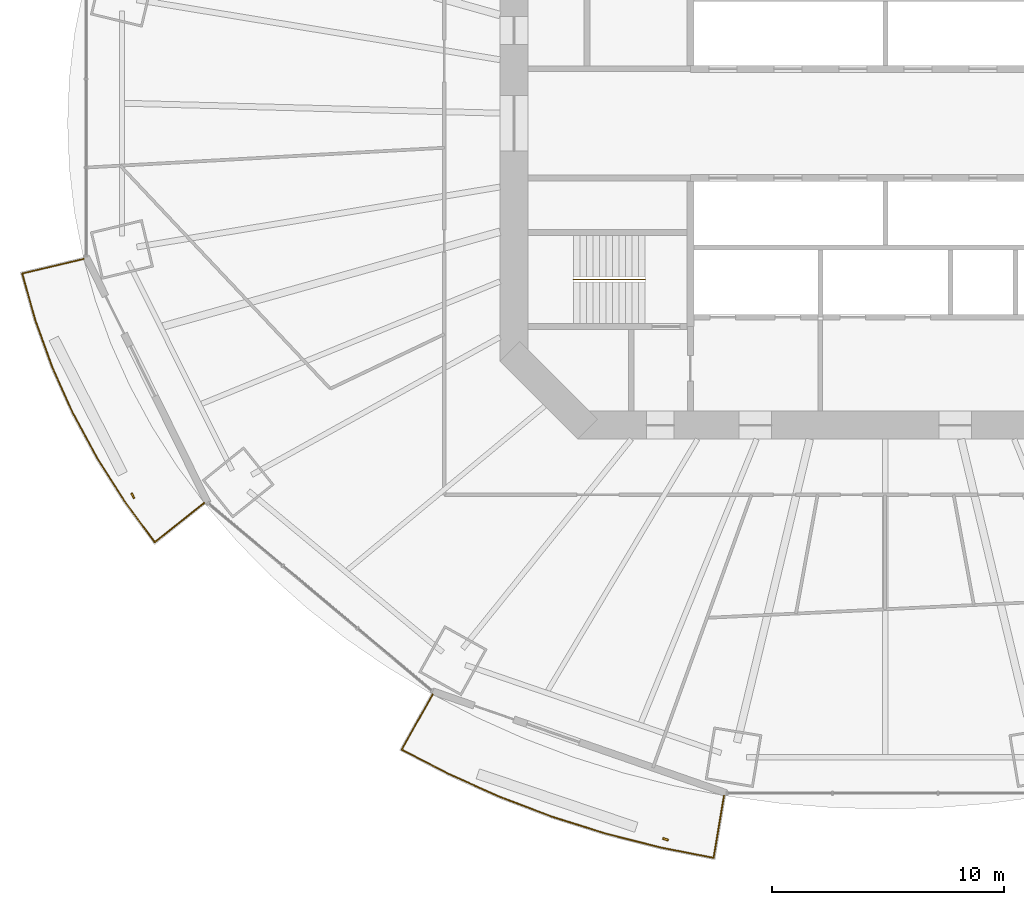
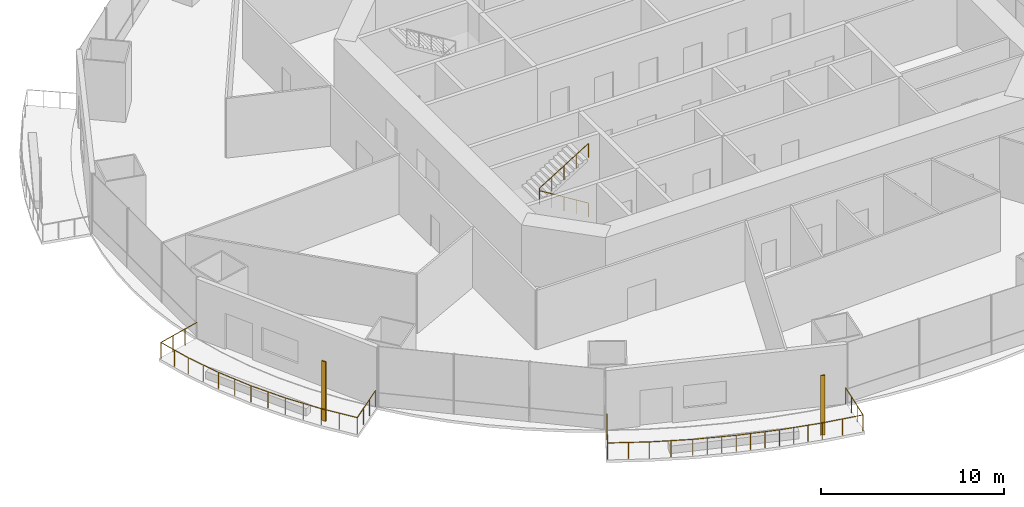
# One storey, part 17 of 22: 3 railings, 2 shading devices.
"""IFC4 building model written with IfcOpenShell, lengths in metres."""

from ifc_helpers import new_model, si_unit, direction, frame, origin, origin_2d, place, context, subcontext, project, spatial, rectangle, circle, extrude, material, material_profile, profile_set, type_object, element, save


model = new_model("IFC4")

# Units and contexts
model_context = context("Model", 3, precision=1e-05, world=origin(), true_north=direction((0.0, 1.0)))
body_context = subcontext(model_context, "Body", "Model", "MODEL_VIEW")
ifc_project = project(units=[si_unit("LENGTHUNIT", "METRE"), si_unit("AREAUNIT", "SQUARE_METRE"), si_unit("VOLUMEUNIT", "CUBIC_METRE"), si_unit("PLANEANGLEUNIT", "RADIAN"), si_unit("MASSUNIT", "GRAM", prefix="KILO")], contexts=[model_context])

# Site, building, storey
site_placement = place(None, origin())
site = spatial("IfcSite", under=ifc_project, at=site_placement, CompositionType="ELEMENT")
building_placement = place(site_placement, origin())
building = spatial("IfcBuilding", under=site, at=building_placement, Name="Marenthal Gate Tower", CompositionType="ELEMENT")
storey_placement = place(building_placement, frame((0.0, 0.0, 82.800048828125)))
storey = spatial("IfcBuildingStorey", under=building, at=storey_placement, Name="L16", CompositionType="ELEMENT", Elevation=82.800048828125)

# Railings
ifc_material_1 = material(Name="Stainless steel", Category="steel")
railing_type_1 = type_object("IfcRailingType", Name="Balcony guard 1100", PredefinedType="GUARDRAIL", material=ifc_material_1)
railing_1_placement = place(storey_placement, frame((-29.34326171875, -16.347900390625, 0.0)))
element("IfcRailing", 1, at=railing_1_placement, inside=storey, type_object=railing_type_1, Name="Balcony guard L16 bay 9", PredefinedType="GUARDRAIL", context=body_context, shape_type="SweptSolid", body=[
    extrude(circle(Radius=0.02392578125, at=origin_2d()), frame((0.0, 0.0, 1.076171875), z_axis=(-0.782218085053, -0.62283082954, -0.014718192514), x_axis=(0.622898300926, -0.782302822892, 0.0)), (0.0, 0.0, 1.0), 2.720458984375),
    extrude(circle(Radius=0.02392578125, at=origin_2d()), frame((-2.1279296875, -1.6943359375, 1.0361328125), z_axis=(-0.594617358606, 0.804008828835, 0.0), x_axis=(-0.804008828835, -0.594617358606, 0.0)), (0.0, 0.0, 1.0), 2.153564453125),
    extrude(circle(Radius=0.02392578125, at=origin_2d()), frame((-3.408447265625, 0.037109375, 1.0361328125), z_axis=(-0.537495639062, 0.843266528442, 0.0), x_axis=(-0.843266528442, -0.537495639062, 0.0)), (0.0, 0.0, 1.0), 2.215576171875),
    extrude(circle(Radius=0.02392578125, at=origin_2d()), frame((-4.599365234375, 1.905517578125, 1.0361328125), z_axis=(-0.475449699906, 0.879742907251, 0.0), x_axis=(-0.879742907251, -0.475449699906, 0.0)), (0.0, 0.0, 1.0), 2.19921875),
    extrude(circle(Radius=0.02392578125, at=origin_2d()), frame((-5.64501953125, 3.84033203125, 1.0361328125), z_axis=(-0.409495490191, 0.912312141492, 0.0), x_axis=(-0.912312141492, -0.409495490191, 0.0)), (0.0, 0.0, 1.0), 2.1845703125),
    extrude(circle(Radius=0.02392578125, at=origin_2d()), frame((-6.53955078125, 5.833251953125, 1.0361328125), z_axis=(-0.340172038454, 0.940363219322, 0.0), x_axis=(-0.940363219322, -0.340172038454, 0.0)), (0.0, 0.0, 1.0), 2.171630859375),
    extrude(circle(Radius=0.02392578125, at=origin_2d()), frame((-7.2783203125, 7.87548828125, 1.0361328125), z_axis=(-0.269294922849, 0.963057757628, 0.0), x_axis=(-0.963057757628, -0.269294922849, 0.0)), (0.0, 0.0, 1.0), 2.08154296875),
    extrude(circle(Radius=0.02392578125, at=origin_2d()), frame((-7.8388671875, 9.880126953125, 1.0361328125), z_axis=(0.972921871805, 0.230665056323, 0.014719482193), x_axis=(-0.230690048693, 0.973027287096, 0.0)), (0.0, 0.0, 1.0), 2.72021484375),
    extrude(circle(Radius=0.02099609375, at=origin_2d()), origin(), (0.0, 0.0, 1.0), 1.052001953125),
    extrude(circle(Radius=0.02099609375, at=origin_2d()), frame((-0.709228515625, -0.564697265625, -0.013427734375)), (0.0, 0.0, 1.0), 1.052001953125),
    extrude(circle(Radius=0.02099609375, at=origin_2d()), frame((-1.418701171875, -1.129638671875, -0.026611328125)), (0.0, 0.0, 1.0), 1.052001953125),
    extrude(circle(Radius=0.02099609375, at=origin_2d()), frame((-2.1279296875, -1.6943359375, -0.0400390625)), (0.0, 0.0, 1.0), 1.052001953125),
    extrude(circle(Radius=0.02099609375, at=origin_2d()), frame((-2.76806640625, -0.82861328125, -0.0400390625)), (0.0, 0.0, 1.0), 1.052001953125),
    extrude(circle(Radius=0.02099609375, at=origin_2d()), frame((-3.408447265625, 0.037109375, -0.0400390625)), (0.0, 0.0, 1.0), 1.052001953125),
    extrude(circle(Radius=0.02099609375, at=origin_2d()), frame((-4.00390625, 0.97119140625, -0.0400390625)), (0.0, 0.0, 1.0), 1.052001953125),
    extrude(circle(Radius=0.02099609375, at=origin_2d()), frame((-4.599365234375, 1.905517578125, -0.0400390625)), (0.0, 0.0, 1.0), 1.052001953125),
    extrude(circle(Radius=0.02099609375, at=origin_2d()), frame((-5.1220703125, 2.873046875, -0.0400390625)), (0.0, 0.0, 1.0), 1.052001953125),
    extrude(circle(Radius=0.02099609375, at=origin_2d()), frame((-5.64501953125, 3.84033203125, -0.0400390625)), (0.0, 0.0, 1.0), 1.052001953125),
    extrude(circle(Radius=0.02099609375, at=origin_2d()), frame((-6.09228515625, 4.8369140625, -0.0400390625)), (0.0, 0.0, 1.0), 1.052001953125),
    extrude(circle(Radius=0.02099609375, at=origin_2d()), frame((-6.53955078125, 5.833251953125, -0.0400390625)), (0.0, 0.0, 1.0), 1.052001953125),
    extrude(circle(Radius=0.02099609375, at=origin_2d()), frame((-6.908935546875, 6.8544921875, -0.0400390625)), (0.0, 0.0, 1.0), 1.052001953125),
    extrude(circle(Radius=0.02099609375, at=origin_2d()), frame((-7.2783203125, 7.87548828125, -0.0400390625)), (0.0, 0.0, 1.0), 1.052001953125),
    extrude(circle(Radius=0.02099609375, at=origin_2d()), frame((-7.55859375, 8.8779296875, -0.0400390625)), (0.0, 0.0, 1.0), 1.052001953125),
    extrude(circle(Radius=0.02099609375, at=origin_2d()), frame((-7.8388671875, 9.880126953125, -0.0400390625)), (0.0, 0.0, 1.0), 1.052001953125),
    extrude(circle(Radius=0.02099609375, at=origin_2d()), frame((-6.956787109375, 10.08935546875, -0.026611328125)), (0.0, 0.0, 1.0), 1.052001953125),
    extrude(circle(Radius=0.02099609375, at=origin_2d()), frame((-6.074462890625, 10.29833984375, -0.013427734375)), (0.0, 0.0, 1.0), 1.052001953125),
    extrude(circle(Radius=0.02099609375, at=origin_2d()), frame((-5.1923828125, 10.507568359375, 0.0)), (0.0, 0.0, 1.0), 1.052001953125),
])
railing_2_placement = place(storey_placement, frame((-6.9521484375, -28.957275390625, 0.0)))
element("IfcRailing", 2, at=railing_2_placement, inside=storey, type_object=railing_type_1, Name="Balcony guard L16 bay 11", PredefinedType="GUARDRAIL", context=body_context, shape_type="SweptSolid", body=[
    extrude(circle(Radius=0.02392578125, at=origin_2d()), frame((0.0, 0.0, 1.076171875), z_axis=(-0.164599482451, -0.986250661205, -0.014718819587), x_axis=(0.986357511038, -0.164617315064, 0.0)), (0.0, 0.0, 1.0), 2.72021484375),
    extrude(circle(Radius=0.02392578125, at=origin_2d()), frame((-0.44775390625, -2.682861328125, 1.0361328125), z_axis=(-0.981243578155, 0.19277199052, 0.0), x_axis=(-0.19277199052, -0.981243578155, 0.0)), (0.0, 0.0, 1.0), 2.359375),
    extrude(circle(Radius=0.02392578125, at=origin_2d()), frame((-2.762939453125, -2.22802734375, 1.0361328125), z_axis=(-0.969141273658, 0.246505966848, 0.0), x_axis=(-0.246505966848, -0.969141273658, 0.0)), (0.0, 0.0, 1.0), 2.429443359375),
    extrude(circle(Radius=0.02392578125, at=origin_2d()), frame((-5.117431640625, -1.629150390625, 1.0361328125), z_axis=(-0.953649791478, 0.300918718616, 0.0), x_axis=(-0.300918718616, -0.953649791478, 0.0)), (0.0, 0.0, 1.0), 2.417724609375),
    extrude(circle(Radius=0.02392578125, at=origin_2d()), frame((-7.423095703125, -0.901611328125, 1.0361328125), z_axis=(-0.934801116304, 0.355171610573, 0.0), x_axis=(-0.355171610573, -0.934801116304, 0.0)), (0.0, 0.0, 1.0), 2.40380859375),
    extrude(circle(Radius=0.02392578125, at=origin_2d()), frame((-9.670166015625, -0.0478515625, 1.0361328125), z_axis=(-0.912542222384, 0.408982508631, 0.0), x_axis=(-0.408982508631, -0.912542222384, 0.0)), (0.0, 0.0, 1.0), 2.3876953125),
    extrude(circle(Radius=0.02392578125, at=origin_2d()), frame((-11.84912109375, 0.9287109375, 1.0361328125), z_axis=(-0.887216801235, 0.461352736642, 0.0), x_axis=(-0.461352736642, -0.887216801235, 0.0)), (0.0, 0.0, 1.0), 2.290771484375),
    extrude(circle(Radius=0.02392578125, at=origin_2d()), frame((-13.881591796875, 1.985595703125, 1.0361328125), z_axis=(0.489023148101, 0.872146623829, 0.01471825955), x_axis=(-0.872241104505, 0.489076124557, 0.0)), (0.0, 0.0, 1.0), 2.720458984375),
    extrude(circle(Radius=0.02099609375, at=origin_2d()), origin(), (0.0, 0.0, 1.0), 1.052001953125),
    extrude(circle(Radius=0.02099609375, at=origin_2d()), frame((-0.149169921875, -0.894287109375, -0.013427734375)), (0.0, 0.0, 1.0), 1.052001953125),
    extrude(circle(Radius=0.02099609375, at=origin_2d()), frame((-0.298583984375, -1.78857421875, -0.026611328125)), (0.0, 0.0, 1.0), 1.052001953125),
    extrude(circle(Radius=0.02099609375, at=origin_2d()), frame((-0.44775390625, -2.682861328125, -0.0400390625)), (0.0, 0.0, 1.0), 1.052001953125),
    extrude(circle(Radius=0.02099609375, at=origin_2d()), frame((-1.60546875, -2.45556640625, -0.0400390625)), (0.0, 0.0, 1.0), 1.052001953125),
    extrude(circle(Radius=0.02099609375, at=origin_2d()), frame((-2.762939453125, -2.22802734375, -0.0400390625)), (0.0, 0.0, 1.0), 1.052001953125),
    extrude(circle(Radius=0.02099609375, at=origin_2d()), frame((-3.5478515625, -2.0283203125, -0.0400390625)), (0.0, 0.0, 1.0), 1.052001953125),
    extrude(circle(Radius=0.02099609375, at=origin_2d()), frame((-4.33251953125, -1.828857421875, -0.0400390625)), (0.0, 0.0, 1.0), 1.052001953125),
    extrude(circle(Radius=0.02099609375, at=origin_2d()), frame((-5.117431640625, -1.629150390625, -0.0400390625)), (0.0, 0.0, 1.0), 1.052001953125),
    extrude(circle(Radius=0.02099609375, at=origin_2d()), frame((-5.885986328125, -1.38671875, -0.0400390625)), (0.0, 0.0, 1.0), 1.052001953125),
    extrude(circle(Radius=0.02099609375, at=origin_2d()), frame((-6.654541015625, -1.14404296875, -0.0400390625)), (0.0, 0.0, 1.0), 1.052001953125),
    extrude(circle(Radius=0.02099609375, at=origin_2d()), frame((-7.423095703125, -0.901611328125, -0.0400390625)), (0.0, 0.0, 1.0), 1.052001953125),
    extrude(circle(Radius=0.02099609375, at=origin_2d()), frame((-8.172119140625, -0.616943359375, -0.0400390625)), (0.0, 0.0, 1.0), 1.052001953125),
    extrude(circle(Radius=0.02099609375, at=origin_2d()), frame((-8.921142578125, -0.33251953125, -0.0400390625)), (0.0, 0.0, 1.0), 1.052001953125),
    extrude(circle(Radius=0.02099609375, at=origin_2d()), frame((-9.670166015625, -0.0478515625, -0.0400390625)), (0.0, 0.0, 1.0), 1.052001953125),
    extrude(circle(Radius=0.02099609375, at=origin_2d()), frame((-10.759765625, 0.4404296875, -0.0400390625)), (0.0, 0.0, 1.0), 1.052001953125),
    extrude(circle(Radius=0.02099609375, at=origin_2d()), frame((-11.84912109375, 0.9287109375, -0.0400390625)), (0.0, 0.0, 1.0), 1.052001953125),
    extrude(circle(Radius=0.02099609375, at=origin_2d()), frame((-12.865234375, 1.45703125, -0.0400390625)), (0.0, 0.0, 1.0), 1.052001953125),
    extrude(circle(Radius=0.02099609375, at=origin_2d()), frame((-13.881591796875, 1.985595703125, -0.0400390625)), (0.0, 0.0, 1.0), 1.052001953125),
    extrude(circle(Radius=0.02099609375, at=origin_2d()), frame((-13.438232421875, 2.7763671875, -0.026611328125)), (0.0, 0.0, 1.0), 1.052001953125),
    extrude(circle(Radius=0.02099609375, at=origin_2d()), frame((-12.99462890625, 3.5673828125, -0.013427734375)), (0.0, 0.0, 1.0), 1.052001953125),
    extrude(circle(Radius=0.02099609375, at=origin_2d()), frame((-12.55126953125, 4.358154296875, 0.0)), (0.0, 0.0, 1.0), 1.052001953125),
])
ifc_material_2 = material(Name="Stainless steel", Category="steel")
railing_type_2 = type_object("IfcRailingType", Name="Stair handrail", PredefinedType="HANDRAIL", material=ifc_material_2)
railing_3_placement = place(storey_placement, frame((-10.35009765625, -6.72509765625, 0.1728515625)))
element("IfcRailing", 3, at=railing_3_placement, inside=storey, type_object=railing_type_2, Name="Handrail ST2", PredefinedType="HANDRAIL", context=body_context, shape_type="SweptSolid", body=[
    extrude(circle(Radius=0.0224609375, at=origin_2d()), frame((0.0, 0.0, 0.927490234375), z_axis=(-0.850816621229, 0.0, 0.525462726595), x_axis=(0.0, -1.0, 0.0)), (0.0, 0.0, 1.0), 3.619873046875),
    extrude(circle(Radius=0.0224609375, at=origin_2d()), frame((-3.079833984375, 0.0, 2.82958984375), z_axis=(0.0, 0.0, 1.0), x_axis=(1.0, 0.0, 0.0)), (0.0, 0.0, 1.0), 0.1728515625),
    extrude(circle(Radius=0.0224609375, at=origin_2d()), frame((-3.079833984375, 0.0, 3.00244140625), z_axis=(0.850816621229, 0.0, 0.525462726595), x_axis=(0.0, 1.0, 0.0)), (0.0, 0.0, 1.0), 3.619873046875),
    extrude(circle(Radius=0.02001953125, at=origin_2d()), origin(), (0.0, 0.0, 1.0), 0.905029296875),
    extrude(circle(Radius=0.02001953125, at=origin_2d()), frame((-0.77001953125, 0.0, 0.4755859375)), (0.0, 0.0, 1.0), 0.905029296875),
    extrude(circle(Radius=0.02001953125, at=origin_2d()), frame((-1.5400390625, 0.0, 0.951171875)), (0.0, 0.0, 1.0), 0.905029296875),
    extrude(circle(Radius=0.02001953125, at=origin_2d()), frame((-2.309814453125, 0.0, 1.426513671875)), (0.0, 0.0, 1.0), 0.905029296875),
    extrude(circle(Radius=0.02001953125, at=origin_2d()), frame((-3.079833984375, 0.0, 1.902099609375)), (0.0, 0.0, 1.0), 0.905029296875),
    extrude(circle(Radius=0.02001953125, at=origin_2d()), frame((-3.079833984375, 0.0, 2.074951171875)), (0.0, 0.0, 1.0), 0.905029296875),
    extrude(circle(Radius=0.02001953125, at=origin_2d()), frame((-2.309814453125, 0.0, 2.550537109375)), (0.0, 0.0, 1.0), 0.905029296875),
    extrude(circle(Radius=0.02001953125, at=origin_2d()), frame((-1.5400390625, 0.0, 3.02587890625)), (0.0, 0.0, 1.0), 0.905029296875),
    extrude(circle(Radius=0.02001953125, at=origin_2d()), frame((-0.77001953125, 0.0, 3.50146484375)), (0.0, 0.0, 1.0), 0.905029296875),
    extrude(circle(Radius=0.02001953125, at=origin_2d()), frame((0.0, 0.0, 3.97705078125)), (0.0, 0.0, 1.0), 0.905029296875),
])

# Shading devices
ifc_material_3 = material(Name="Terracotta", Category="masonry")
ifc_material_profile = material_profile(ifc_material_3, rectangle(XDim=0.25, YDim=0.080078125, at=origin_2d()), Name="Terracotta baguette 250x80")
ifc_profile_set = profile_set([ifc_material_profile], Name="Terracotta")
shading_device_type = type_object("IfcShadingDeviceType", Name="Terracotta BAGUETTE SCREEN 250x80", PredefinedType="USERDEFINED", material=ifc_profile_set)
for number, where, z_axis, x_axis, name in (
    (4, (-32.4189453125, -16.041015625, -0.0400390625), (0.0, 0.0, 1.0), (0.442860405886, -0.896590575959, 0.0), "Terracotta BAGUETTE L16 bay 9R"),
    (5, (-9.471923828125, -30.837646484375, -0.0400390625), (0.0, 0.0, 1.0), (0.944634232614, -0.328125230017, 0.0), "Terracotta BAGUETTE L16 bay 11R"),
):
    element("IfcShadingDevice", number, at=place(storey_placement, frame(where, z_axis=z_axis, x_axis=x_axis)), inside=storey, type_object=shading_device_type, Name=name, ObjectType="BAGUETTE SCREEN", PredefinedType="USERDEFINED", context=body_context, shape_type="SweptSolid", body=[
        extrude(rectangle(XDim=0.25, YDim=0.080078125, at=origin_2d()), origin(), (0.0, 0.0, 1.0), 3.969970703125),
    ])

save(model, "model.ifc")
